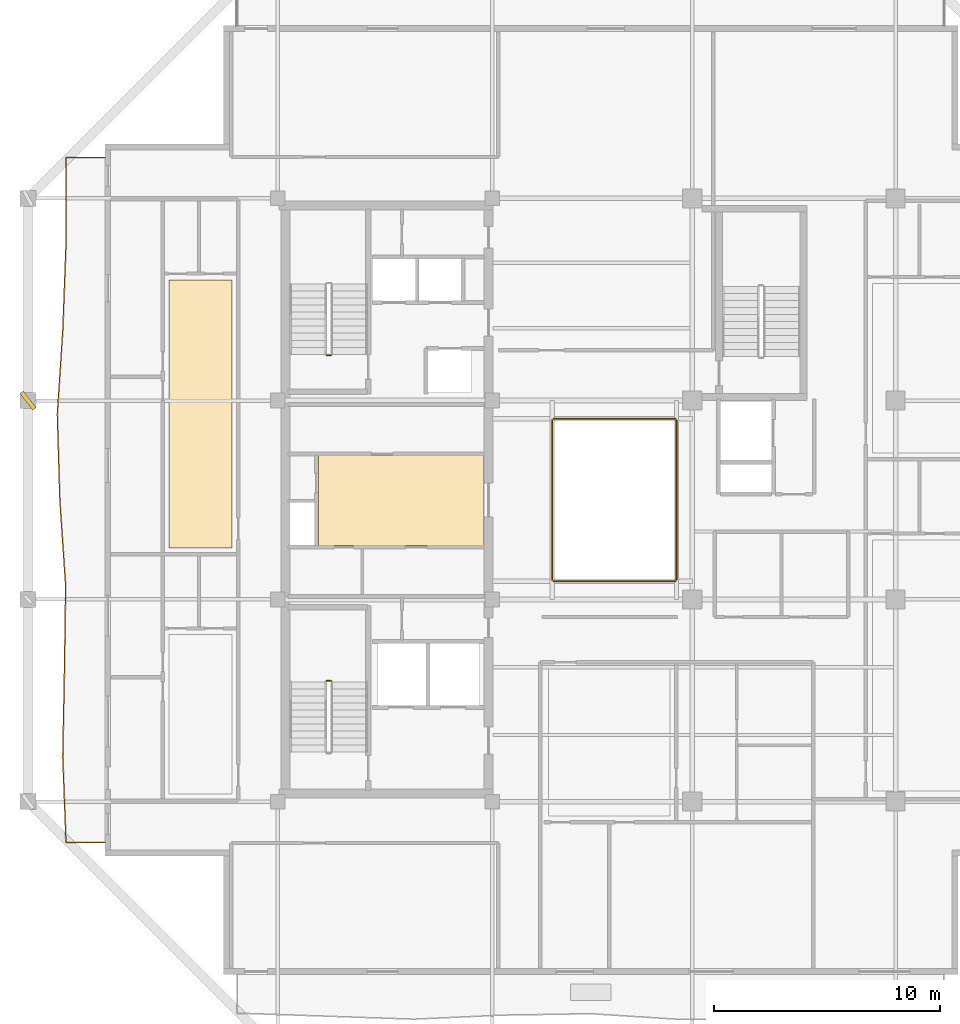
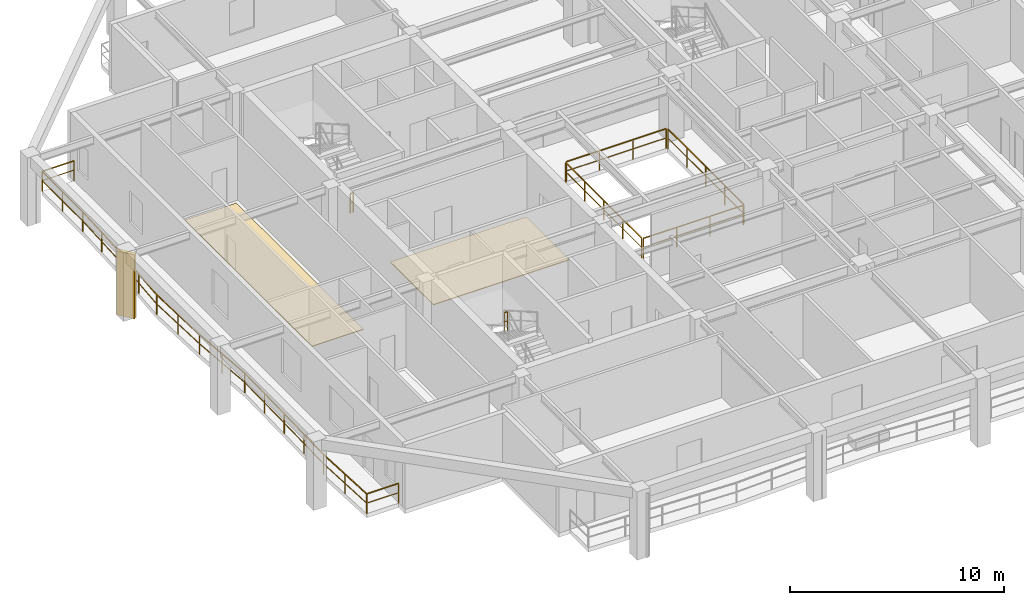
# One storey, part 9 of 12: 7 railings, 2 coverings, 1 shading device.
"""IFC4 building model written with IfcOpenShell, lengths in metres."""

from ifc_helpers import new_model, si_unit, direction, frame, origin, origin_2d, place, context, subcontext, project, spatial, polyline, rectangle, outline, extrude, material, layer, layer_set, type_object, element, save


model = new_model("IFC4")

# Units and contexts
model_context = context("Model", 3, precision=1e-05, world=origin(), true_north=direction((0.0, 1.0)))
body_context = subcontext(model_context, "Body", "Model", "MODEL_VIEW")
ifc_project = project(units=[si_unit("LENGTHUNIT", "METRE"), si_unit("AREAUNIT", "SQUARE_METRE"), si_unit("VOLUMEUNIT", "CUBIC_METRE"), si_unit("PLANEANGLEUNIT", "RADIAN"), si_unit("MASSUNIT", "GRAM", prefix="KILO")], contexts=[model_context])

# Site, building, storey
site_placement = place(None, origin())
site = spatial("IfcSite", under=ifc_project, at=site_placement, CompositionType="ELEMENT")
building_placement = place(site_placement, origin())
building = spatial("IfcBuilding", under=site, at=building_placement, Name="Kundavana Baori Tower", CompositionType="ELEMENT")
storey_placement = place(building_placement, frame((0.0, 0.0, 241.39990234375)))
storey = spatial("IfcBuildingStorey", under=building, at=storey_placement, Name="L59", CompositionType="ELEMENT", Elevation=241.39990234375)

# Coverings
ifc_material_1 = material(Name="Honed Kota Stone and Terrazzo Flooring", Category="masonry")
ifc_layer = layer(ifc_material_1, 0.0400390625, Name="COV-FLR-TERR-40")
ifc_layer_set = layer_set([ifc_layer], Name="Honed Kota Stone and Terrazzo Flooring")
covering_type = type_object("IfcCoveringType", Name="COV-FLR-TERR-40", PredefinedType="FLOORING", material=ifc_layer_set)
covering_1_placement = place(storey_placement, origin())
element("IfcCovering", 1, at=covering_1_placement, inside=storey, type_object=covering_type, Name="L59 Room Finished Stone Flooring 2", PredefinedType="FLOORING", context=body_context, shape_type="SweptSolid", body=[
    extrude(outline(polyline([(10.64990234375, 26.47998046875), (13.419921875, 26.47998046875), (13.419921875, 38.340087890625), (10.64990234375, 38.340087890625), (10.64990234375, 26.47998046875)])), origin(), (0.0, 0.0, 1.0), 0.0400390625),
])
covering_2_placement = place(storey_placement, origin())
element("IfcCovering", 2, at=covering_2_placement, inside=storey, type_object=covering_type, Name="L59 Core Lift Lobby Kota Stone Flooring", PredefinedType="FLOORING", context=body_context, shape_type="SweptSolid", body=[
    extrude(outline(polyline([(17.25, 26.580078125), (24.580078125, 26.580078125), (24.580078125, 30.60009765625), (17.25, 30.60009765625), (17.25, 26.580078125)])), origin(), (0.0, 0.0, 1.0), 0.0400390625),
])

# Railings
ifc_material_2 = material(Name="Architectural Patinated Bronze Metalwork")
railing_type_1 = type_object("IfcRailingType", Name="RL-BAL-1150", PredefinedType="BALUSTRADE", material=ifc_material_2)
railing_1_placement = place(storey_placement, frame((7.800048828125, 13.449951171875, 0.0)))
element("IfcRailing", 3, at=railing_1_placement, inside=storey, type_object=railing_type_1, Name="L59 Loggia Balcony Balustrade W", PredefinedType="BALUSTRADE", context=body_context, shape_type="SweptSolid", body=[
    extrude(rectangle(XDim=0.048095703125, YDim=0.048095703125, at=origin_2d()), frame((0.0, 0.0, 1.1259765625), z_axis=(-1.0, 0.0, 0.0), x_axis=(0.0, -1.0, 0.0)), (0.0, 0.0, 1.0), 1.719970703125),
    extrude(rectangle(XDim=0.03125, YDim=0.03125, at=origin_2d()), frame((0.0, 0.0, 0.597900390625), z_axis=(-1.0, 0.0, 0.0), x_axis=(0.0, -1.0, 0.0)), (0.0, 0.0, 1.0), 1.719970703125),
    extrude(rectangle(XDim=0.048095703125, YDim=0.048095703125, at=origin_2d()), frame((-1.719970703125, 0.0, 1.1259765625), z_axis=(-0.037997803261, 0.999277822704, 0.0), x_axis=(-0.999277822704, -0.037997803261, 0.0)), (0.0, 0.0, 1.0), 3.790771484375),
    extrude(rectangle(XDim=0.03125, YDim=0.03125, at=origin_2d()), frame((-1.719970703125, 0.0, 0.597900390625), z_axis=(-0.037997803261, 0.999277822704, 0.0), x_axis=(-0.999277822704, -0.037997803261, 0.0)), (0.0, 0.0, 1.0), 3.790771484375),
    extrude(rectangle(XDim=0.048095703125, YDim=0.048095703125, at=origin_2d()), frame((-1.864013671875, 3.7880859375, 1.1259765625), z_axis=(0.019273061887, 0.999814257293, 0.0), x_axis=(-0.999814257293, 0.019273061887, 0.0)), (0.0, 0.0, 1.0), 3.78759765625),
    extrude(rectangle(XDim=0.03125, YDim=0.03125, at=origin_2d()), frame((-1.864013671875, 3.7880859375, 0.597900390625), z_axis=(0.019273061887, 0.999814257293, 0.0), x_axis=(-0.999814257293, 0.019273061887, 0.0)), (0.0, 0.0, 1.0), 3.78759765625),
    extrude(rectangle(XDim=0.048095703125, YDim=0.048095703125, at=origin_2d()), frame((-1.791015625, 7.574951171875, 1.1259765625), z_axis=(0.014245588857, 0.999898526451, 0.0), x_axis=(-0.999898526451, 0.014245588857, 0.0)), (0.0, 0.0, 1.0), 3.78759765625),
    extrude(rectangle(XDim=0.03125, YDim=0.03125, at=origin_2d()), frame((-1.791015625, 7.574951171875, 0.597900390625), z_axis=(0.014245588857, 0.999898526451, 0.0), x_axis=(-0.999898526451, 0.014245588857, 0.0)), (0.0, 0.0, 1.0), 3.78759765625),
    extrude(rectangle(XDim=0.048095703125, YDim=0.048095703125, at=origin_2d()), frame((-1.737060546875, 11.362060546875, 1.1259765625), z_axis=(-0.067453648298, 0.997722408955, 0.0), x_axis=(-0.997722408955, -0.067453648298, 0.0)), (0.0, 0.0, 1.0), 3.796630859375),
    extrude(rectangle(XDim=0.03125, YDim=0.03125, at=origin_2d()), frame((-1.737060546875, 11.362060546875, 0.597900390625), z_axis=(-0.067453648298, 0.997722408955, 0.0), x_axis=(-0.997722408955, -0.067453648298, 0.0)), (0.0, 0.0, 1.0), 3.796630859375),
    extrude(rectangle(XDim=0.048095703125, YDim=0.048095703125, at=origin_2d()), frame((-1.9931640625, 15.150146484375, 1.1259765625), z_axis=(-0.029506965853, 0.999564574685, 0.0), x_axis=(-0.999564574685, -0.029506965853, 0.0)), (0.0, 0.0, 1.0), 3.78955078125),
    extrude(rectangle(XDim=0.03125, YDim=0.03125, at=origin_2d()), frame((-1.9931640625, 15.150146484375, 0.597900390625), z_axis=(-0.029506965853, 0.999564574685, 0.0), x_axis=(-0.999564574685, -0.029506965853, 0.0)), (0.0, 0.0, 1.0), 3.78955078125),
    extrude(rectangle(XDim=0.048095703125, YDim=0.048095703125, at=origin_2d()), frame((-2.10498046875, 18.93798828125, 1.1259765625), z_axis=(0.064781123867, 0.997899496939, 0.0), x_axis=(-0.997899496939, 0.064781123867, 0.0)), (0.0, 0.0, 1.0), 3.795166015625),
    extrude(rectangle(XDim=0.03125, YDim=0.03125, at=origin_2d()), frame((-2.10498046875, 18.93798828125, 0.597900390625), z_axis=(0.064781123867, 0.997899496939, 0.0), x_axis=(-0.997899496939, 0.064781123867, 0.0)), (0.0, 0.0, 1.0), 3.795166015625),
    extrude(rectangle(XDim=0.048095703125, YDim=0.048095703125, at=origin_2d()), frame((-1.859130859375, 22.72509765625, 1.1259765625), z_axis=(0.036723326578, 0.999325471148, 0.0), x_axis=(-0.999325471148, 0.036723326578, 0.0)), (0.0, 0.0, 1.0), 3.789306640625),
    extrude(rectangle(XDim=0.03125, YDim=0.03125, at=origin_2d()), frame((-1.859130859375, 22.72509765625, 0.597900390625), z_axis=(0.036723326578, 0.999325471148, 0.0), x_axis=(-0.999325471148, 0.036723326578, 0.0)), (0.0, 0.0, 1.0), 3.789306640625),
    extrude(rectangle(XDim=0.048095703125, YDim=0.048095703125, at=origin_2d()), frame((-1.719970703125, 26.511962890625, 1.1259765625), z_axis=(0.0, 1.0, 0.0), x_axis=(-1.0, 0.0, 0.0)), (0.0, 0.0, 1.0), 3.7880859375),
    extrude(rectangle(XDim=0.03125, YDim=0.03125, at=origin_2d()), frame((-1.719970703125, 26.511962890625, 0.597900390625), z_axis=(0.0, 1.0, 0.0), x_axis=(-1.0, 0.0, 0.0)), (0.0, 0.0, 1.0), 3.7880859375),
    extrude(rectangle(XDim=0.048095703125, YDim=0.048095703125, at=origin_2d()), frame((-1.719970703125, 30.300048828125, 1.1259765625), z_axis=(1.0, 0.0, 0.0), x_axis=(0.0, 1.0, 0.0)), (0.0, 0.0, 1.0), 1.719970703125),
    extrude(rectangle(XDim=0.03125, YDim=0.03125, at=origin_2d()), frame((-1.719970703125, 30.300048828125, 0.597900390625), z_axis=(1.0, 0.0, 0.0), x_axis=(0.0, 1.0, 0.0)), (0.0, 0.0, 1.0), 1.719970703125),
    extrude(rectangle(XDim=0.0419921875, YDim=0.0419921875, at=origin_2d()), origin(), (0.0, 0.0, 1.0), 1.101806640625),
    extrude(rectangle(XDim=0.0419921875, YDim=0.0419921875, at=origin_2d()), frame((-1.719970703125, 0.0, 0.0)), (0.0, 0.0, 1.0), 1.101806640625),
    extrude(rectangle(XDim=0.0419921875, YDim=0.0419921875, at=origin_2d()), frame((-1.7919921875, 1.89404296875, 0.0)), (0.0, 0.0, 1.0), 1.101806640625),
    extrude(rectangle(XDim=0.0419921875, YDim=0.0419921875, at=origin_2d()), frame((-1.864013671875, 3.7880859375, 0.0)), (0.0, 0.0, 1.0), 1.101806640625),
    extrude(rectangle(XDim=0.0419921875, YDim=0.0419921875, at=origin_2d()), frame((-1.82763671875, 5.681640625, 0.0)), (0.0, 0.0, 1.0), 1.101806640625),
    extrude(rectangle(XDim=0.0419921875, YDim=0.0419921875, at=origin_2d()), frame((-1.791015625, 7.574951171875, 0.0)), (0.0, 0.0, 1.0), 1.101806640625),
    extrude(rectangle(XDim=0.0419921875, YDim=0.0419921875, at=origin_2d()), frame((-1.76416015625, 9.468505859375, 0.0)), (0.0, 0.0, 1.0), 1.101806640625),
    extrude(rectangle(XDim=0.0419921875, YDim=0.0419921875, at=origin_2d()), frame((-1.737060546875, 11.362060546875, 0.0)), (0.0, 0.0, 1.0), 1.101806640625),
    extrude(rectangle(XDim=0.0419921875, YDim=0.0419921875, at=origin_2d()), frame((-1.865234375, 13.256103515625, 0.0)), (0.0, 0.0, 1.0), 1.101806640625),
    extrude(rectangle(XDim=0.0419921875, YDim=0.0419921875, at=origin_2d()), frame((-1.9931640625, 15.150146484375, 0.0)), (0.0, 0.0, 1.0), 1.101806640625),
    extrude(rectangle(XDim=0.0419921875, YDim=0.0419921875, at=origin_2d()), frame((-2.049072265625, 17.0439453125, 0.0)), (0.0, 0.0, 1.0), 1.101806640625),
    extrude(rectangle(XDim=0.0419921875, YDim=0.0419921875, at=origin_2d()), frame((-2.10498046875, 18.93798828125, 0.0)), (0.0, 0.0, 1.0), 1.101806640625),
    extrude(rectangle(XDim=0.0419921875, YDim=0.0419921875, at=origin_2d()), frame((-1.98193359375, 20.83154296875, 0.0)), (0.0, 0.0, 1.0), 1.101806640625),
    extrude(rectangle(XDim=0.0419921875, YDim=0.0419921875, at=origin_2d()), frame((-1.859130859375, 22.72509765625, 0.0)), (0.0, 0.0, 1.0), 1.101806640625),
    extrude(rectangle(XDim=0.0419921875, YDim=0.0419921875, at=origin_2d()), frame((-1.78955078125, 24.61865234375, 0.0)), (0.0, 0.0, 1.0), 1.101806640625),
    extrude(rectangle(XDim=0.0419921875, YDim=0.0419921875, at=origin_2d()), frame((-1.719970703125, 26.511962890625, 0.0)), (0.0, 0.0, 1.0), 1.101806640625),
    extrude(rectangle(XDim=0.0419921875, YDim=0.0419921875, at=origin_2d()), frame((-1.719970703125, 28.406005859375, 0.0)), (0.0, 0.0, 1.0), 1.101806640625),
    extrude(rectangle(XDim=0.0419921875, YDim=0.0419921875, at=origin_2d()), frame((-1.719970703125, 30.300048828125, 0.0)), (0.0, 0.0, 1.0), 1.101806640625),
    extrude(rectangle(XDim=0.0419921875, YDim=0.0419921875, at=origin_2d()), frame((0.0, 30.300048828125, 0.0)), (0.0, 0.0, 1.0), 1.101806640625),
])
ifc_material_3 = material(Name="Architectural Patinated Bronze Metalwork")
railing_type_2 = type_object("IfcRailingType", Name="RL-GRD-1150", PredefinedType="GUARDRAIL", material=ifc_material_3)
for number, where, name in (
    (4, (17.7900390625, 20.60009765625, 1.9501953125), "L59 ST1 stair guard 2"),
    (5, (17.7900390625, 35.0, 0.0), "L59 ST2 stair guard 4"),
):
    element("IfcRailing", number, at=place(storey_placement, frame(where)), inside=storey, type_object=railing_type_2, Name=name, PredefinedType="GUARDRAIL", context=body_context, shape_type="SweptSolid", body=[
        extrude(rectangle(XDim=0.048095703125, YDim=0.048095703125, at=origin_2d()), frame((0.0, 0.0, 1.1259765625), z_axis=(-1.0, 0.0, 0.0), x_axis=(0.0, -1.0, 0.0)), (0.0, 0.0, 1.0), 0.16015625),
        extrude(rectangle(XDim=0.03125, YDim=0.03125, at=origin_2d()), frame((0.0, 0.0, 0.597900390625), z_axis=(-1.0, 0.0, 0.0), x_axis=(0.0, -1.0, 0.0)), (0.0, 0.0, 1.0), 0.16015625),
        extrude(rectangle(XDim=0.0419921875, YDim=0.0419921875, at=origin_2d()), origin(), (0.0, 0.0, 1.0), 1.101806640625),
        extrude(rectangle(XDim=0.0419921875, YDim=0.0419921875, at=origin_2d()), frame((-0.16015625, 0.0, 0.0)), (0.0, 0.0, 1.0), 1.101806640625),
    ])
railing_2_placement = place(storey_placement, frame((27.659912109375, 25.0, 0.0)))
element("IfcRailing", 6, at=railing_2_placement, inside=storey, type_object=railing_type_2, Name="L59 Atrium Void Perimeter Guardrail S", PredefinedType="GUARDRAIL", context=body_context, shape_type="SweptSolid", body=[
    extrude(rectangle(XDim=0.048095703125, YDim=0.048095703125, at=origin_2d()), frame((0.0, 0.0, 1.1259765625), z_axis=(1.0, 0.0, 0.0), x_axis=(0.0, 1.0, 0.0)), (0.0, 0.0, 1.0), 5.380126953125),
    extrude(rectangle(XDim=0.03125, YDim=0.03125, at=origin_2d()), frame((0.0, 0.0, 0.597900390625), z_axis=(1.0, 0.0, 0.0), x_axis=(0.0, 1.0, 0.0)), (0.0, 0.0, 1.0), 5.380126953125),
    extrude(rectangle(XDim=0.0419921875, YDim=0.0419921875, at=origin_2d()), origin(), (0.0, 0.0, 1.0), 1.101806640625),
    extrude(rectangle(XDim=0.0419921875, YDim=0.0419921875, at=origin_2d()), frame((1.79345703125, 0.0, 0.0)), (0.0, 0.0, 1.0), 1.101806640625),
    extrude(rectangle(XDim=0.0419921875, YDim=0.0419921875, at=origin_2d()), frame((3.586669921875, 0.0, 0.0)), (0.0, 0.0, 1.0), 1.101806640625),
    extrude(rectangle(XDim=0.0419921875, YDim=0.0419921875, at=origin_2d()), frame((5.380126953125, 0.0, 0.0)), (0.0, 0.0, 1.0), 1.101806640625),
])
railing_3_placement = place(storey_placement, frame((33.10009765625, 25.06005859375, 0.0)))
element("IfcRailing", 7, at=railing_3_placement, inside=storey, type_object=railing_type_2, Name="L59 Atrium Void Perimeter Guardrail E", PredefinedType="GUARDRAIL", context=body_context, shape_type="SweptSolid", body=[
    extrude(rectangle(XDim=0.048095703125, YDim=0.048095703125, at=origin_2d()), frame((0.0, 0.0, 1.1259765625), z_axis=(0.0, 1.0, 0.0), x_axis=(-1.0, 0.0, 0.0)), (0.0, 0.0, 1.0), 7.079833984375),
    extrude(rectangle(XDim=0.03125, YDim=0.03125, at=origin_2d()), frame((0.0, 0.0, 0.597900390625), z_axis=(0.0, 1.0, 0.0), x_axis=(-1.0, 0.0, 0.0)), (0.0, 0.0, 1.0), 7.079833984375),
    extrude(rectangle(XDim=0.0419921875, YDim=0.0419921875, at=origin_2d()), origin(), (0.0, 0.0, 1.0), 1.101806640625),
    extrude(rectangle(XDim=0.0419921875, YDim=0.0419921875, at=origin_2d()), frame((0.0, 1.77001953125, 0.0)), (0.0, 0.0, 1.0), 1.101806640625),
    extrude(rectangle(XDim=0.0419921875, YDim=0.0419921875, at=origin_2d()), frame((0.0, 3.5400390625, 0.0)), (0.0, 0.0, 1.0), 1.101806640625),
    extrude(rectangle(XDim=0.0419921875, YDim=0.0419921875, at=origin_2d()), frame((0.0, 5.309814453125, 0.0)), (0.0, 0.0, 1.0), 1.101806640625),
    extrude(rectangle(XDim=0.0419921875, YDim=0.0419921875, at=origin_2d()), frame((0.0, 7.079833984375, 0.0)), (0.0, 0.0, 1.0), 1.101806640625),
])
railing_4_placement = place(storey_placement, frame((33.0400390625, 32.199951171875, 0.0)))
element("IfcRailing", 8, at=railing_4_placement, inside=storey, type_object=railing_type_2, Name="L59 Atrium Void Perimeter Guardrail N", PredefinedType="GUARDRAIL", context=body_context, shape_type="SweptSolid", body=[
    extrude(rectangle(XDim=0.048095703125, YDim=0.048095703125, at=origin_2d()), frame((0.0, 0.0, 1.1259765625), z_axis=(-1.0, 0.0, 0.0), x_axis=(0.0, -1.0, 0.0)), (0.0, 0.0, 1.0), 5.380126953125),
    extrude(rectangle(XDim=0.03125, YDim=0.03125, at=origin_2d()), frame((0.0, 0.0, 0.597900390625), z_axis=(-1.0, 0.0, 0.0), x_axis=(0.0, -1.0, 0.0)), (0.0, 0.0, 1.0), 5.380126953125),
    extrude(rectangle(XDim=0.0419921875, YDim=0.0419921875, at=origin_2d()), origin(), (0.0, 0.0, 1.0), 1.101806640625),
    extrude(rectangle(XDim=0.0419921875, YDim=0.0419921875, at=origin_2d()), frame((-1.79345703125, 0.0, 0.0)), (0.0, 0.0, 1.0), 1.101806640625),
    extrude(rectangle(XDim=0.0419921875, YDim=0.0419921875, at=origin_2d()), frame((-3.586669921875, 0.0, 0.0)), (0.0, 0.0, 1.0), 1.101806640625),
    extrude(rectangle(XDim=0.0419921875, YDim=0.0419921875, at=origin_2d()), frame((-5.380126953125, 0.0, 0.0)), (0.0, 0.0, 1.0), 1.101806640625),
])
railing_5_placement = place(storey_placement, frame((27.60009765625, 32.139892578125, 0.0)))
element("IfcRailing", 9, at=railing_5_placement, inside=storey, type_object=railing_type_2, Name="L59 Atrium Void Perimeter Guardrail W", PredefinedType="GUARDRAIL", context=body_context, shape_type="SweptSolid", body=[
    extrude(rectangle(XDim=0.048095703125, YDim=0.048095703125, at=origin_2d()), frame((0.0, 0.0, 1.1259765625), z_axis=(0.0, -1.0, 0.0), x_axis=(1.0, 0.0, 0.0)), (0.0, 0.0, 1.0), 7.079833984375),
    extrude(rectangle(XDim=0.03125, YDim=0.03125, at=origin_2d()), frame((0.0, 0.0, 0.597900390625), z_axis=(0.0, -1.0, 0.0), x_axis=(1.0, 0.0, 0.0)), (0.0, 0.0, 1.0), 7.079833984375),
    extrude(rectangle(XDim=0.0419921875, YDim=0.0419921875, at=origin_2d()), origin(), (0.0, 0.0, 1.0), 1.101806640625),
    extrude(rectangle(XDim=0.0419921875, YDim=0.0419921875, at=origin_2d()), frame((0.0, -1.77001953125, 0.0)), (0.0, 0.0, 1.0), 1.101806640625),
    extrude(rectangle(XDim=0.0419921875, YDim=0.0419921875, at=origin_2d()), frame((0.0, -3.5400390625, 0.0)), (0.0, 0.0, 1.0), 1.101806640625),
    extrude(rectangle(XDim=0.0419921875, YDim=0.0419921875, at=origin_2d()), frame((0.0, -5.309814453125, 0.0)), (0.0, 0.0, 1.0), 1.101806640625),
    extrude(rectangle(XDim=0.0419921875, YDim=0.0419921875, at=origin_2d()), frame((0.0, -7.079833984375, 0.0)), (0.0, 0.0, 1.0), 1.101806640625),
])

# Shading device
ifc_material_4 = material(Name="Red-Buff Dholpur Sandstone Cladding on Concrete C40/50", Category="masonry")
shading_device_type = type_object("IfcShadingDeviceType", Name="SHD-FIN-920", PredefinedType="JALOUSIE", material=ifc_material_4)
shading_device_placement = place(storey_placement, frame((4.39990234375, 33.0, 0.0), z_axis=(0.0, 0.0, 1.0), x_axis=(0.78961984927, 0.613596360516, 0.0)))
element("IfcShadingDevice", 10, at=shading_device_placement, inside=storey, type_object=shading_device_type, Name="L59 Sweeping Dholpur Sandstone Facade Fin 7", PredefinedType="JALOUSIE", context=body_context, shape_type="SweptSolid", body=[
    extrude(rectangle(XDim=0.179931640625, YDim=0.919921875, at=origin_2d()), origin(), (0.0, 0.0, 1.0), 3.659912109375),
])

save(model, "model.ifc")
